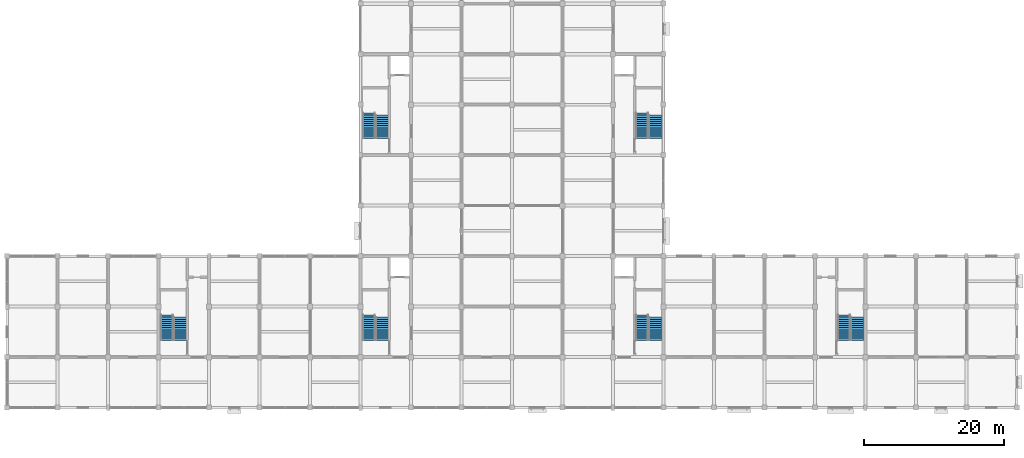
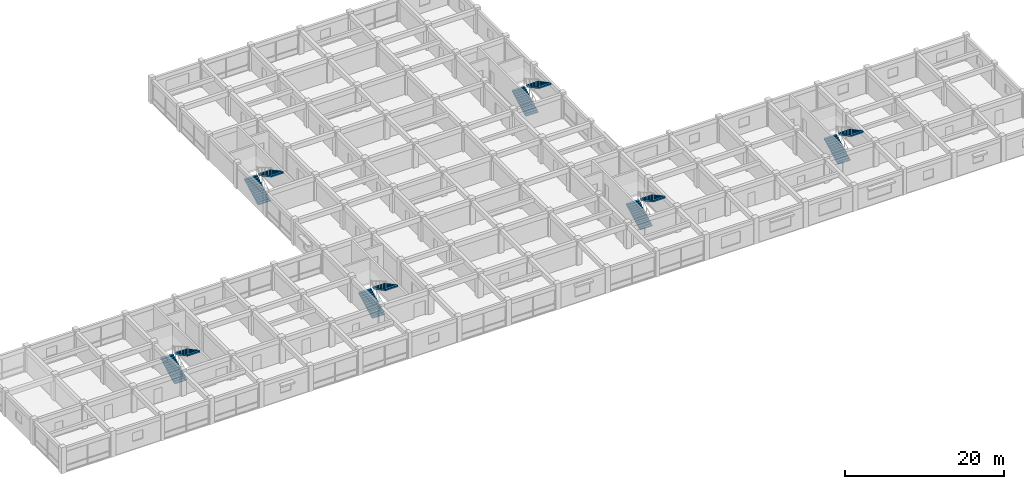
# One storey, part 19 of 25: 12 stair flights, 6 elements without a shape of their own.
"""IFC4 building model written with IfcOpenShell, lengths in metres."""

from ifc_helpers import new_model, si_unit, direction, frame, origin, place, context, subcontext, project, spatial, polyline, outline, extrude, material, type_object, element, aggregate, save


model = new_model("IFC4")

# Units and contexts
model_context = context("Model", 3, precision=1e-05, world=origin(), true_north=direction((0.0, 1.0)))
body_context = subcontext(model_context, "Body", "Model", "MODEL_VIEW")
ifc_project = project(units=[si_unit("LENGTHUNIT", "METRE"), si_unit("AREAUNIT", "SQUARE_METRE"), si_unit("VOLUMEUNIT", "CUBIC_METRE"), si_unit("PLANEANGLEUNIT", "RADIAN"), si_unit("MASSUNIT", "GRAM", prefix="KILO")], contexts=[model_context])

# Site, building, storey
site_placement = place(None, origin())
site = spatial("IfcSite", under=ifc_project, at=site_placement, CompositionType="ELEMENT")
building_placement = place(site_placement, origin())
building = spatial("IfcBuilding", under=site, at=building_placement, Name="Cendaluz Park School", CompositionType="ELEMENT")
storey_placement = place(building_placement, frame((0.0, 0.0, 18.60009765625)))
storey = spatial("IfcBuildingStorey", under=building, at=storey_placement, Name="L04", CompositionType="ELEMENT", Elevation=18.60009765625)

# Stair, stair flight
ifc_material = material(Name="Concrete C40/50", Category="concrete")
stair_type = type_object("IfcStairType", Name="ST-400-180", PredefinedType="HALF_TURN_STAIR", material=ifc_material)
stair_1_placement = place(storey_placement, origin())
stair_1 = element("IfcStair", 1, at=stair_1_placement, inside=storey, type_object=stair_type, Name="ST-L04-C1", PredefinedType="HALF_TURN_STAIR")
stair_flight_type_1 = type_object("IfcStairFlightType", Name="SF-12-160-180", PredefinedType="STRAIGHT", material=ifc_material)
stair_flight_1_placement = place(storey_placement, frame((67.860107421875, 20.10009765625, 2.079833984375), z_axis=(0.0, 0.0, 1.0), x_axis=(0.0, -1.0, 0.0)))
stair_flight_1 = element("IfcStairFlight", 2, at=stair_flight_1_placement, type_object=stair_flight_type_1, Name="SF-L04-C1-2", NumberOfRisers=12, NumberOfTreads=11, PredefinedType="STRAIGHT", RiserHeight=0.16, TreadLength=0.3, context=body_context, shape_type="SweptSolid", body=[
    extrude(outline(polyline([(0.0, 0.0), (0.0, 0.159912109375), (0.300048828125, 0.159912109375), (0.300048828125, 0.320068359375), (0.60009765625, 0.320068359375), (0.60009765625, 0.47998046875), (0.89990234375, 0.47998046875), (0.89990234375, 0.639892578125), (1.199951171875, 0.639892578125), (1.199951171875, 0.800048828125), (1.5, 0.800048828125), (1.5, 0.9599609375), (1.800048828125, 0.9599609375), (1.800048828125, 1.1201171875), (2.10009765625, 1.1201171875), (2.10009765625, 1.280029296875), (2.39990234375, 1.280029296875), (2.39990234375, 1.43994140625), (2.699951171875, 1.43994140625), (2.699951171875, 1.60009765625), (3.0, 1.60009765625), (3.0, 1.760009765625), (3.300048828125, 1.760009765625), (3.300048828125, 1.919921875), (3.300048828125, 1.55615234375), (0.38232421875, 0.0), (0.0, 0.0)])), frame((0.0, 0.89990234375, 0.0), z_axis=(0.0, -1.0, 0.0), x_axis=(1.0, 0.0, 0.0)), (0.0, 0.0, 1.0), 1.800048828125),
])

stair_2_placement = place(storey_placement, origin())
stair_2 = element("IfcStair", 3, at=stair_2_placement, inside=storey, type_object=stair_type, Name="ST-L04-C2", PredefinedType="HALF_TURN_STAIR")
stair_flight_2_placement = place(storey_placement, frame((106.81005859375, 20.10009765625, 2.079833984375), z_axis=(0.0, 0.0, 1.0), x_axis=(0.0, -1.0, 0.0)))
stair_flight_2 = element("IfcStairFlight", 4, at=stair_flight_2_placement, type_object=stair_flight_type_1, Name="SF-L04-C2-2", NumberOfRisers=12, NumberOfTreads=11, PredefinedType="STRAIGHT", RiserHeight=0.16, TreadLength=0.3, context=body_context, shape_type="SweptSolid", body=[
    extrude(outline(polyline([(0.0, 0.0), (0.0, 0.159912109375), (0.300048828125, 0.159912109375), (0.300048828125, 0.320068359375), (0.60009765625, 0.320068359375), (0.60009765625, 0.47998046875), (0.89990234375, 0.47998046875), (0.89990234375, 0.639892578125), (1.199951171875, 0.639892578125), (1.199951171875, 0.800048828125), (1.5, 0.800048828125), (1.5, 0.9599609375), (1.800048828125, 0.9599609375), (1.800048828125, 1.1201171875), (2.10009765625, 1.1201171875), (2.10009765625, 1.280029296875), (2.39990234375, 1.280029296875), (2.39990234375, 1.43994140625), (2.699951171875, 1.43994140625), (2.699951171875, 1.60009765625), (3.0, 1.60009765625), (3.0, 1.760009765625), (3.300048828125, 1.760009765625), (3.300048828125, 1.919921875), (3.300048828125, 1.55615234375), (0.38232421875, 0.0), (0.0, 0.0)])), frame((0.0, 0.89990234375, 0.0), z_axis=(0.0, -1.0, 0.0), x_axis=(1.0, 0.0, 0.0)), (0.0, 0.0, 1.0), 1.800048828125),
])

stair_3_placement = place(storey_placement, origin())
stair_3 = element("IfcStair", 5, at=stair_3_placement, inside=storey, type_object=stair_type, Name="ST-L04-C3", PredefinedType="HALF_TURN_STAIR")
stair_flight_3_placement = place(storey_placement, frame((67.860107421875, 48.89990234375, 2.079833984375), z_axis=(0.0, 0.0, 1.0), x_axis=(0.0, -1.0, 0.0)))
stair_flight_3 = element("IfcStairFlight", 6, at=stair_flight_3_placement, type_object=stair_flight_type_1, Name="SF-L04-C3-2", NumberOfRisers=12, NumberOfTreads=11, PredefinedType="STRAIGHT", RiserHeight=0.16, TreadLength=0.3, context=body_context, shape_type="SweptSolid", body=[
    extrude(outline(polyline([(0.0, 0.0), (0.0, 0.159912109375), (0.300048828125, 0.159912109375), (0.300048828125, 0.320068359375), (0.60009765625, 0.320068359375), (0.60009765625, 0.47998046875), (0.89990234375, 0.47998046875), (0.89990234375, 0.639892578125), (1.199951171875, 0.639892578125), (1.199951171875, 0.800048828125), (1.5, 0.800048828125), (1.5, 0.9599609375), (1.800048828125, 0.9599609375), (1.800048828125, 1.1201171875), (2.10009765625, 1.1201171875), (2.10009765625, 1.280029296875), (2.39990234375, 1.280029296875), (2.39990234375, 1.43994140625), (2.699951171875, 1.43994140625), (2.699951171875, 1.60009765625), (3.0, 1.60009765625), (3.0, 1.760009765625), (3.300048828125, 1.760009765625), (3.300048828125, 1.919921875), (3.300048828125, 1.55615234375), (0.38232421875, 0.0), (0.0, 0.0)])), frame((0.0, 0.89990234375, 0.0), z_axis=(0.0, -1.0, 0.0), x_axis=(1.0, 0.0, 0.0)), (0.0, 0.0, 1.0), 1.800048828125),
])

stair_4_placement = place(storey_placement, origin())
stair_4 = element("IfcStair", 7, at=stair_4_placement, inside=storey, type_object=stair_type, Name="ST-L04-C4", PredefinedType="HALF_TURN_STAIR")
stair_flight_4_placement = place(storey_placement, frame((106.81005859375, 48.89990234375, 2.079833984375), z_axis=(0.0, 0.0, 1.0), x_axis=(0.0, -1.0, 0.0)))
stair_flight_4 = element("IfcStairFlight", 8, at=stair_flight_4_placement, type_object=stair_flight_type_1, Name="SF-L04-C4-2", NumberOfRisers=12, NumberOfTreads=11, PredefinedType="STRAIGHT", RiserHeight=0.16, TreadLength=0.3, context=body_context, shape_type="SweptSolid", body=[
    extrude(outline(polyline([(0.0, 0.0), (0.0, 0.159912109375), (0.300048828125, 0.159912109375), (0.300048828125, 0.320068359375), (0.60009765625, 0.320068359375), (0.60009765625, 0.47998046875), (0.89990234375, 0.47998046875), (0.89990234375, 0.639892578125), (1.199951171875, 0.639892578125), (1.199951171875, 0.800048828125), (1.5, 0.800048828125), (1.5, 0.9599609375), (1.800048828125, 0.9599609375), (1.800048828125, 1.1201171875), (2.10009765625, 1.1201171875), (2.10009765625, 1.280029296875), (2.39990234375, 1.280029296875), (2.39990234375, 1.43994140625), (2.699951171875, 1.43994140625), (2.699951171875, 1.60009765625), (3.0, 1.60009765625), (3.0, 1.760009765625), (3.300048828125, 1.760009765625), (3.300048828125, 1.919921875), (3.300048828125, 1.55615234375), (0.38232421875, 0.0), (0.0, 0.0)])), frame((0.0, 0.89990234375, 0.0), z_axis=(0.0, -1.0, 0.0), x_axis=(1.0, 0.0, 0.0)), (0.0, 0.0, 1.0), 1.800048828125),
])

stair_5_placement = place(storey_placement, origin())
stair_5 = element("IfcStair", 9, at=stair_5_placement, inside=storey, type_object=stair_type, Name="ST-L04-C5", PredefinedType="HALF_TURN_STAIR")
stair_flight_5_placement = place(storey_placement, frame((39.06005859375, 20.10009765625, 2.079833984375), z_axis=(0.0, 0.0, 1.0), x_axis=(0.0, -1.0, 0.0)))
stair_flight_5 = element("IfcStairFlight", 10, at=stair_flight_5_placement, type_object=stair_flight_type_1, Name="SF-L04-C5-2", NumberOfRisers=12, NumberOfTreads=11, PredefinedType="STRAIGHT", RiserHeight=0.16, TreadLength=0.3, context=body_context, shape_type="SweptSolid", body=[
    extrude(outline(polyline([(0.0, 0.0), (0.0, 0.159912109375), (0.300048828125, 0.159912109375), (0.300048828125, 0.320068359375), (0.60009765625, 0.320068359375), (0.60009765625, 0.47998046875), (0.89990234375, 0.47998046875), (0.89990234375, 0.639892578125), (1.199951171875, 0.639892578125), (1.199951171875, 0.800048828125), (1.5, 0.800048828125), (1.5, 0.9599609375), (1.800048828125, 0.9599609375), (1.800048828125, 1.1201171875), (2.10009765625, 1.1201171875), (2.10009765625, 1.280029296875), (2.39990234375, 1.280029296875), (2.39990234375, 1.43994140625), (2.699951171875, 1.43994140625), (2.699951171875, 1.60009765625), (3.0, 1.60009765625), (3.0, 1.760009765625), (3.300048828125, 1.760009765625), (3.300048828125, 1.919921875), (3.300048828125, 1.55615234375), (0.38232421875, 0.0), (0.0, 0.0)])), frame((0.0, 0.89990234375, 0.0), z_axis=(0.0, -1.0, 0.0), x_axis=(1.0, 0.0, 0.0)), (0.0, 0.0, 1.0), 1.800048828125),
])

stair_6_placement = place(storey_placement, origin())
stair_6 = element("IfcStair", 11, at=stair_6_placement, inside=storey, type_object=stair_type, Name="ST-L04-C6", PredefinedType="HALF_TURN_STAIR")
stair_flight_6_placement = place(storey_placement, frame((135.610107421875, 20.10009765625, 2.079833984375), z_axis=(0.0, 0.0, 1.0), x_axis=(0.0, -1.0, 0.0)))
stair_flight_6 = element("IfcStairFlight", 12, at=stair_flight_6_placement, type_object=stair_flight_type_1, Name="SF-L04-C6-2", NumberOfRisers=12, NumberOfTreads=11, PredefinedType="STRAIGHT", RiserHeight=0.16, TreadLength=0.3, context=body_context, shape_type="SweptSolid", body=[
    extrude(outline(polyline([(0.0, 0.0), (0.0, 0.159912109375), (0.300048828125, 0.159912109375), (0.300048828125, 0.320068359375), (0.60009765625, 0.320068359375), (0.60009765625, 0.47998046875), (0.89990234375, 0.47998046875), (0.89990234375, 0.639892578125), (1.199951171875, 0.639892578125), (1.199951171875, 0.800048828125), (1.5, 0.800048828125), (1.5, 0.9599609375), (1.800048828125, 0.9599609375), (1.800048828125, 1.1201171875), (2.10009765625, 1.1201171875), (2.10009765625, 1.280029296875), (2.39990234375, 1.280029296875), (2.39990234375, 1.43994140625), (2.699951171875, 1.43994140625), (2.699951171875, 1.60009765625), (3.0, 1.60009765625), (3.0, 1.760009765625), (3.300048828125, 1.760009765625), (3.300048828125, 1.919921875), (3.300048828125, 1.55615234375), (0.38232421875, 0.0), (0.0, 0.0)])), frame((0.0, 0.89990234375, 0.0), z_axis=(0.0, -1.0, 0.0), x_axis=(1.0, 0.0, 0.0)), (0.0, 0.0, 1.0), 1.800048828125),
])

# Stair flight
stair_flight_type_2 = type_object("IfcStairFlightType", Name="SF-13-160-180", PredefinedType="STRAIGHT", material=ifc_material)
stair_flight_7_placement = place(storey_placement, frame((65.989990234375, 16.800048828125, 0.0), z_axis=(0.0, 0.0, 1.0), x_axis=(0.0, 1.0, 0.0)))
stair_flight_7 = element("IfcStairFlight", 13, at=stair_flight_7_placement, type_object=stair_flight_type_2, Name="SF-L04-C1-1", NumberOfRisers=13, NumberOfTreads=12, PredefinedType="STRAIGHT", RiserHeight=0.16, TreadLength=0.3, context=body_context, shape_type="SweptSolid", body=[
    extrude(outline(polyline([(0.0, 0.0), (0.0, 0.159912109375), (0.300048828125, 0.159912109375), (0.300048828125, 0.320068359375), (0.60009765625, 0.320068359375), (0.60009765625, 0.47998046875), (0.89990234375, 0.47998046875), (0.89990234375, 0.639892578125), (1.199951171875, 0.639892578125), (1.199951171875, 0.800048828125), (1.5, 0.800048828125), (1.5, 0.9599609375), (1.800048828125, 0.9599609375), (1.800048828125, 1.1201171875), (2.10009765625, 1.1201171875), (2.10009765625, 1.280029296875), (2.39990234375, 1.280029296875), (2.39990234375, 1.43994140625), (2.699951171875, 1.43994140625), (2.699951171875, 1.60009765625), (3.0, 1.60009765625), (3.0, 1.760009765625), (3.300048828125, 1.760009765625), (3.300048828125, 1.919921875), (3.60009765625, 1.919921875), (3.60009765625, 2.080078125), (3.60009765625, 1.716064453125), (0.38232421875, 0.0), (0.0, 0.0)])), frame((0.0, 0.89990234375, 0.0), z_axis=(0.0, -1.0, 0.0), x_axis=(1.0, 0.0, 0.0)), (0.0, 0.0, 1.0), 1.800048828125),
])

aggregate(stair_1, [stair_flight_7, stair_flight_1])

stair_flight_8_placement = place(storey_placement, frame((104.93994140625, 16.800048828125, 0.0), z_axis=(0.0, 0.0, 1.0), x_axis=(0.0, 1.0, 0.0)))
stair_flight_8 = element("IfcStairFlight", 14, at=stair_flight_8_placement, type_object=stair_flight_type_2, Name="SF-L04-C2-1", NumberOfRisers=13, NumberOfTreads=12, PredefinedType="STRAIGHT", RiserHeight=0.16, TreadLength=0.3, context=body_context, shape_type="SweptSolid", body=[
    extrude(outline(polyline([(0.0, 0.0), (0.0, 0.159912109375), (0.300048828125, 0.159912109375), (0.300048828125, 0.320068359375), (0.60009765625, 0.320068359375), (0.60009765625, 0.47998046875), (0.89990234375, 0.47998046875), (0.89990234375, 0.639892578125), (1.199951171875, 0.639892578125), (1.199951171875, 0.800048828125), (1.5, 0.800048828125), (1.5, 0.9599609375), (1.800048828125, 0.9599609375), (1.800048828125, 1.1201171875), (2.10009765625, 1.1201171875), (2.10009765625, 1.280029296875), (2.39990234375, 1.280029296875), (2.39990234375, 1.43994140625), (2.699951171875, 1.43994140625), (2.699951171875, 1.60009765625), (3.0, 1.60009765625), (3.0, 1.760009765625), (3.300048828125, 1.760009765625), (3.300048828125, 1.919921875), (3.60009765625, 1.919921875), (3.60009765625, 2.080078125), (3.60009765625, 1.716064453125), (0.38232421875, 0.0), (0.0, 0.0)])), frame((0.0, 0.89990234375, 0.0), z_axis=(0.0, -1.0, 0.0), x_axis=(1.0, 0.0, 0.0)), (0.0, 0.0, 1.0), 1.800048828125),
])

aggregate(stair_2, [stair_flight_8, stair_flight_2])

stair_flight_9_placement = place(storey_placement, frame((65.989990234375, 45.60009765625, 0.0), z_axis=(0.0, 0.0, 1.0), x_axis=(0.0, 1.0, 0.0)))
stair_flight_9 = element("IfcStairFlight", 15, at=stair_flight_9_placement, type_object=stair_flight_type_2, Name="SF-L04-C3-1", NumberOfRisers=13, NumberOfTreads=12, PredefinedType="STRAIGHT", RiserHeight=0.16, TreadLength=0.3, context=body_context, shape_type="SweptSolid", body=[
    extrude(outline(polyline([(0.0, 0.0), (0.0, 0.159912109375), (0.300048828125, 0.159912109375), (0.300048828125, 0.320068359375), (0.60009765625, 0.320068359375), (0.60009765625, 0.47998046875), (0.89990234375, 0.47998046875), (0.89990234375, 0.639892578125), (1.199951171875, 0.639892578125), (1.199951171875, 0.800048828125), (1.5, 0.800048828125), (1.5, 0.9599609375), (1.800048828125, 0.9599609375), (1.800048828125, 1.1201171875), (2.10009765625, 1.1201171875), (2.10009765625, 1.280029296875), (2.39990234375, 1.280029296875), (2.39990234375, 1.43994140625), (2.699951171875, 1.43994140625), (2.699951171875, 1.60009765625), (3.0, 1.60009765625), (3.0, 1.760009765625), (3.300048828125, 1.760009765625), (3.300048828125, 1.919921875), (3.60009765625, 1.919921875), (3.60009765625, 2.080078125), (3.60009765625, 1.716064453125), (0.38232421875, 0.0), (0.0, 0.0)])), frame((0.0, 0.89990234375, 0.0), z_axis=(0.0, -1.0, 0.0), x_axis=(1.0, 0.0, 0.0)), (0.0, 0.0, 1.0), 1.800048828125),
])

aggregate(stair_3, [stair_flight_9, stair_flight_3])

stair_flight_10_placement = place(storey_placement, frame((104.93994140625, 45.60009765625, 0.0), z_axis=(0.0, 0.0, 1.0), x_axis=(0.0, 1.0, 0.0)))
stair_flight_10 = element("IfcStairFlight", 16, at=stair_flight_10_placement, type_object=stair_flight_type_2, Name="SF-L04-C4-1", NumberOfRisers=13, NumberOfTreads=12, PredefinedType="STRAIGHT", RiserHeight=0.16, TreadLength=0.3, context=body_context, shape_type="SweptSolid", body=[
    extrude(outline(polyline([(0.0, 0.0), (0.0, 0.159912109375), (0.300048828125, 0.159912109375), (0.300048828125, 0.320068359375), (0.60009765625, 0.320068359375), (0.60009765625, 0.47998046875), (0.89990234375, 0.47998046875), (0.89990234375, 0.639892578125), (1.199951171875, 0.639892578125), (1.199951171875, 0.800048828125), (1.5, 0.800048828125), (1.5, 0.9599609375), (1.800048828125, 0.9599609375), (1.800048828125, 1.1201171875), (2.10009765625, 1.1201171875), (2.10009765625, 1.280029296875), (2.39990234375, 1.280029296875), (2.39990234375, 1.43994140625), (2.699951171875, 1.43994140625), (2.699951171875, 1.60009765625), (3.0, 1.60009765625), (3.0, 1.760009765625), (3.300048828125, 1.760009765625), (3.300048828125, 1.919921875), (3.60009765625, 1.919921875), (3.60009765625, 2.080078125), (3.60009765625, 1.716064453125), (0.38232421875, 0.0), (0.0, 0.0)])), frame((0.0, 0.89990234375, 0.0), z_axis=(0.0, -1.0, 0.0), x_axis=(1.0, 0.0, 0.0)), (0.0, 0.0, 1.0), 1.800048828125),
])

aggregate(stair_4, [stair_flight_10, stair_flight_4])

stair_flight_11_placement = place(storey_placement, frame((37.18994140625, 16.800048828125, 0.0), z_axis=(0.0, 0.0, 1.0), x_axis=(0.0, 1.0, 0.0)))
stair_flight_11 = element("IfcStairFlight", 17, at=stair_flight_11_placement, type_object=stair_flight_type_2, Name="SF-L04-C5-1", NumberOfRisers=13, NumberOfTreads=12, PredefinedType="STRAIGHT", RiserHeight=0.16, TreadLength=0.3, context=body_context, shape_type="SweptSolid", body=[
    extrude(outline(polyline([(0.0, 0.0), (0.0, 0.159912109375), (0.300048828125, 0.159912109375), (0.300048828125, 0.320068359375), (0.60009765625, 0.320068359375), (0.60009765625, 0.47998046875), (0.89990234375, 0.47998046875), (0.89990234375, 0.639892578125), (1.199951171875, 0.639892578125), (1.199951171875, 0.800048828125), (1.5, 0.800048828125), (1.5, 0.9599609375), (1.800048828125, 0.9599609375), (1.800048828125, 1.1201171875), (2.10009765625, 1.1201171875), (2.10009765625, 1.280029296875), (2.39990234375, 1.280029296875), (2.39990234375, 1.43994140625), (2.699951171875, 1.43994140625), (2.699951171875, 1.60009765625), (3.0, 1.60009765625), (3.0, 1.760009765625), (3.300048828125, 1.760009765625), (3.300048828125, 1.919921875), (3.60009765625, 1.919921875), (3.60009765625, 2.080078125), (3.60009765625, 1.716064453125), (0.38232421875, 0.0), (0.0, 0.0)])), frame((0.0, 0.89990234375, 0.0), z_axis=(0.0, -1.0, 0.0), x_axis=(1.0, 0.0, 0.0)), (0.0, 0.0, 1.0), 1.800048828125),
])

aggregate(stair_5, [stair_flight_11, stair_flight_5])

stair_flight_12_placement = place(storey_placement, frame((133.739990234375, 16.800048828125, 0.0), z_axis=(0.0, 0.0, 1.0), x_axis=(0.0, 1.0, 0.0)))
stair_flight_12 = element("IfcStairFlight", 18, at=stair_flight_12_placement, type_object=stair_flight_type_2, Name="SF-L04-C6-1", NumberOfRisers=13, NumberOfTreads=12, PredefinedType="STRAIGHT", RiserHeight=0.16, TreadLength=0.3, context=body_context, shape_type="SweptSolid", body=[
    extrude(outline(polyline([(0.0, 0.0), (0.0, 0.159912109375), (0.300048828125, 0.159912109375), (0.300048828125, 0.320068359375), (0.60009765625, 0.320068359375), (0.60009765625, 0.47998046875), (0.89990234375, 0.47998046875), (0.89990234375, 0.639892578125), (1.199951171875, 0.639892578125), (1.199951171875, 0.800048828125), (1.5, 0.800048828125), (1.5, 0.9599609375), (1.800048828125, 0.9599609375), (1.800048828125, 1.1201171875), (2.10009765625, 1.1201171875), (2.10009765625, 1.280029296875), (2.39990234375, 1.280029296875), (2.39990234375, 1.43994140625), (2.699951171875, 1.43994140625), (2.699951171875, 1.60009765625), (3.0, 1.60009765625), (3.0, 1.760009765625), (3.300048828125, 1.760009765625), (3.300048828125, 1.919921875), (3.60009765625, 1.919921875), (3.60009765625, 2.080078125), (3.60009765625, 1.716064453125), (0.38232421875, 0.0), (0.0, 0.0)])), frame((0.0, 0.89990234375, 0.0), z_axis=(0.0, -1.0, 0.0), x_axis=(1.0, 0.0, 0.0)), (0.0, 0.0, 1.0), 1.800048828125),
])

aggregate(stair_6, [stair_flight_12, stair_flight_6])

save(model, "model.ifc")
